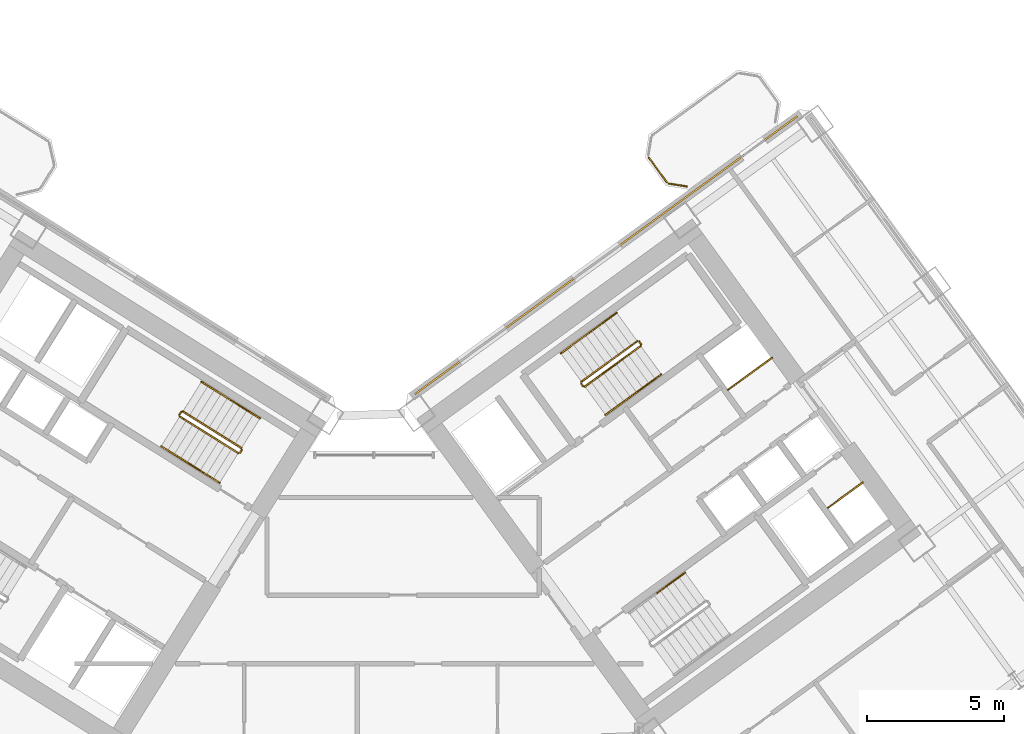
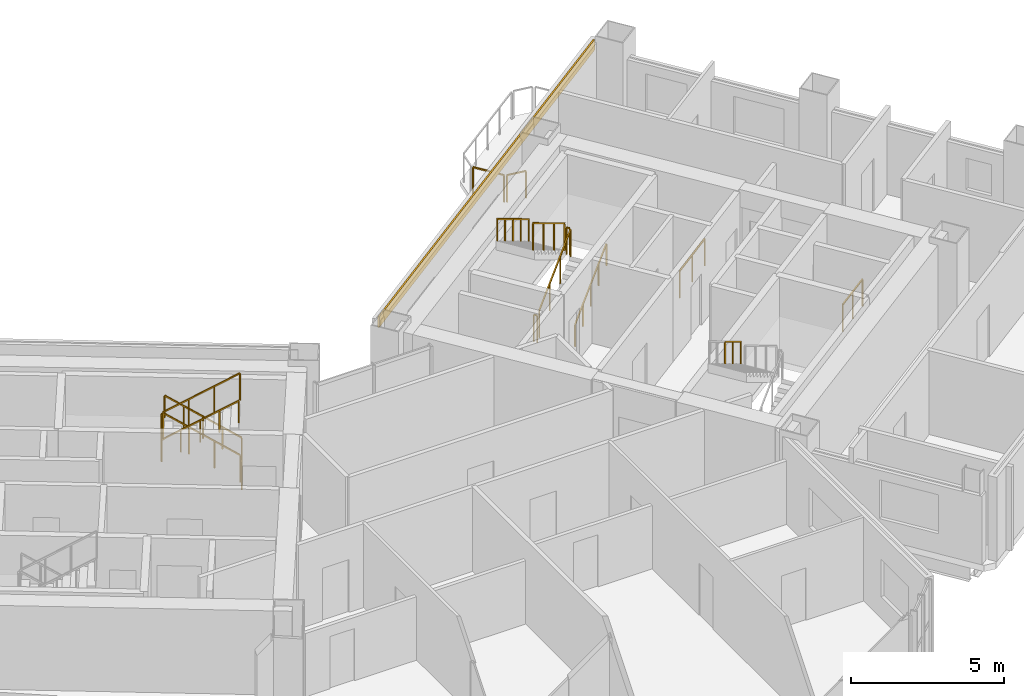
# One storey, part 27 of 28: 21 railings, 1 covering.
"""IFC4 building model written with IfcOpenShell, lengths in metres."""

from ifc_helpers import new_model, si_unit, direction, frame, origin, origin_2d, place, context, subcontext, project, spatial, rectangle, extrude, source, transform, mapped, material, layer, layer_set, type_object, element, save


model = new_model("IFC4")

# Units and contexts
model_context = context("Model", 3, precision=1e-05, world=origin(), true_north=direction((0.0, 1.0)))
body_context = subcontext(model_context, "Body", "Model", "MODEL_VIEW")
ifc_project = project(units=[si_unit("LENGTHUNIT", "METRE"), si_unit("AREAUNIT", "SQUARE_METRE"), si_unit("VOLUMEUNIT", "CUBIC_METRE"), si_unit("PLANEANGLEUNIT", "RADIAN"), si_unit("MASSUNIT", "GRAM", prefix="KILO")], contexts=[model_context])

# Site, building, storey
site_placement = place(None, origin())
site = spatial("IfcSite", under=ifc_project, at=site_placement, CompositionType="ELEMENT")
building_placement = place(site_placement, origin())
building = spatial("IfcBuilding", under=site, at=building_placement, Name="Tlacorven Tower", CompositionType="ELEMENT")
storey_placement = place(building_placement, frame((0.0, 0.0, 56.39990234375)))
storey = spatial("IfcBuildingStorey", under=building, at=storey_placement, Name="L14", CompositionType="ELEMENT", Elevation=56.39990234375)

# Railings
ifc_material_1 = material(Name="Aluminium and painted steel balustrade", Category="steel")
railing_type_1 = type_object("IfcRailingType", Name="RL-GRD-1100", PredefinedType="GUARDRAIL", material=ifc_material_1)
shared_shape_1 = source(origin(), body_context, "Body", "SweptSolid", [
    extrude(rectangle(XDim=0.048095703125, YDim=0.048095703125, at=origin_2d()), frame((0.0, 0.0, 1.076171875), z_axis=(0.808947177504, 0.587881334972, 0.0), x_axis=(-0.587881334972, 0.808947177504, 0.0)), (0.0, 0.0, 1.0), 2.0),
    extrude(rectangle(XDim=0.0419921875, YDim=0.0419921875, at=origin_2d()), origin(), (0.0, 0.0, 1.0), 1.052001953125),
    extrude(rectangle(XDim=0.0419921875, YDim=0.0419921875, at=origin_2d()), frame((0.80908203125, 0.587890625, 0.0)), (0.0, 0.0, 1.0), 1.052001953125),
    extrude(rectangle(XDim=0.0419921875, YDim=0.0419921875, at=origin_2d()), frame((1.617919921875, 1.17578125, 0.0)), (0.0, 0.0, 1.0), 1.052001953125),
])
railing_1_placement = place(storey_placement, frame((55.506103515625, 25.438232421875, 0.0)))
element("IfcRailing", 1, at=railing_1_placement, inside=storey, type_object=railing_type_1, Name="L14 Electrical Riser E Shaft Guard 1", PredefinedType="GUARDRAIL", context=body_context, shape_type="MappedRepresentation", body=[
    mapped(shared_shape_1, transform((0.0, 0.0, 0.0), scale=1.0)),
])
shared_shape_2 = source(origin(), body_context, "Body", "SweptSolid", [
    extrude(rectangle(XDim=0.048095703125, YDim=0.048095703125, at=origin_2d()), frame((0.0, 0.0, 1.076171875), z_axis=(0.809029975545, 0.58776738483, 0.0), x_axis=(-0.58776738483, 0.809029975545, 0.0)), (0.0, 0.0, 1.0), 1.580078125),
    extrude(rectangle(XDim=0.0419921875, YDim=0.0419921875, at=origin_2d()), origin(), (0.0, 0.0, 1.0), 1.052001953125),
    extrude(rectangle(XDim=0.0419921875, YDim=0.0419921875, at=origin_2d()), frame((0.63916015625, 0.46435546875, 0.0)), (0.0, 0.0, 1.0), 1.052001953125),
    extrude(rectangle(XDim=0.0419921875, YDim=0.0419921875, at=origin_2d()), frame((1.2783203125, 0.9287109375, 0.0)), (0.0, 0.0, 1.0), 1.052001953125),
])
railing_2_placement = place(storey_placement, frame((59.160888671875, 21.122314453125, 0.0)))
element("IfcRailing", 2, at=railing_2_placement, inside=storey, type_object=railing_type_1, Name="L14 Smoke Riser E Shaft Guard 1", PredefinedType="GUARDRAIL", context=body_context, shape_type="MappedRepresentation", body=[
    mapped(shared_shape_2, transform((0.0, 0.0, 0.0), scale=1.0)),
])
railing_type_2 = type_object("IfcRailingType", Name="RL-BAL-1100", PredefinedType="BALUSTRADE", material=ifc_material_1)
shared_shape_3 = source(origin(), body_context, "Body", "SweptSolid", [
    extrude(rectangle(XDim=0.048095703125, YDim=0.048095703125, at=origin_2d()), frame((0.0, 0.0, 1.076171875), z_axis=(-0.987718317463, 0.156245081039, 0.0), x_axis=(-0.156245081039, -0.987718317463, 0.0)), (0.0, 0.0, 1.0), 0.66552734375),
    extrude(rectangle(XDim=0.0419921875, YDim=0.0419921875, at=origin_2d()), origin(), (0.0, 0.0, 1.0), 1.052001953125),
    extrude(rectangle(XDim=0.0419921875, YDim=0.0419921875, at=origin_2d()), frame((-0.657470703125, 0.10400390625, 0.0)), (0.0, 0.0, 1.0), 1.052001953125),
])
railing_3_placement = place(storey_placement, frame((54.00341796875, 32.8759765625, 0.0)))
element("IfcRailing", 3, at=railing_3_placement, inside=storey, type_object=railing_type_2, Name="BAL-L14-E-IN Guard Railing 1", PredefinedType="BALUSTRADE", context=body_context, shape_type="MappedRepresentation", body=[
    mapped(shared_shape_3, transform((0.0, 0.0, 0.0), scale=1.0)),
])
shared_shape_4 = source(origin(), body_context, "Body", "SweptSolid", [
    extrude(rectangle(XDim=0.048095703125, YDim=0.048095703125, at=origin_2d()), frame((0.0, 0.0, 1.076171875), z_axis=(-0.587740817519, 0.809049276263, 0.0), x_axis=(-0.809049276263, -0.587740817519, 0.0)), (0.0, 0.0, 1.0), 1.112060546875),
    extrude(rectangle(XDim=0.0419921875, YDim=0.0419921875, at=origin_2d()), origin(), (0.0, 0.0, 1.0), 1.052001953125),
    extrude(rectangle(XDim=0.0419921875, YDim=0.0419921875, at=origin_2d()), frame((-0.653564453125, 0.899658203125, 0.0)), (0.0, 0.0, 1.0), 1.052001953125),
])
railing_4_placement = place(storey_placement, frame((53.26708984375, 33.0283203125, 0.0)))
element("IfcRailing", 4, at=railing_4_placement, inside=storey, type_object=railing_type_2, Name="BAL-L14-E-IN Guard Railing 2", PredefinedType="BALUSTRADE", context=body_context, shape_type="MappedRepresentation", body=[
    mapped(shared_shape_4, transform((0.0, 0.0, 0.0), scale=1.0)),
])

# Covering
ifc_material_2 = material(Name="Precast concrete C45/55", Category="concrete")
ifc_layer = layer(ifc_material_2, 0.06005859375)
ifc_layer_set = layer_set([ifc_layer], Name="Precast concrete C45/55")
covering_type = type_object("IfcCoveringType", Name="CV-CLD-TERC", PredefinedType="CLADDING", material=ifc_layer_set)
shared_shape_5 = source(origin(), body_context, "Body", "SweptSolid", [
    extrude(rectangle(XDim=17.287353515625, YDim=0.06005859375, at=origin_2d()), origin(), (0.0, 0.0, 1.0), 0.419921875),
])
covering_placement = place(storey_placement, frame((51.05224609375, 30.360595703125, 2.93017578125), z_axis=(0.0, 0.0, 1.0), x_axis=(0.809017097486, 0.587785110372, 0.0)))
element("IfcCovering", 5, at=covering_placement, inside=storey, type_object=covering_type, Name="L14 Masonry-Frame Spandrel Cladding 4", PredefinedType="CLADDING", context=body_context, shape_type="MappedRepresentation", body=[
    mapped(shared_shape_5, transform((0.0, 0.0, 0.0), scale=1.0)),
])

# Railings
shared_shape_6 = source(origin(), body_context, "Body", "SweptSolid", [
    extrude(rectangle(XDim=0.048095703125, YDim=0.048095703125, at=origin_2d()), frame((0.0, 0.0, 1.076171875), z_axis=(-0.530546985787, -0.847655529016, 0.0), x_axis=(0.847655529016, -0.530546985787, 0.0)), (0.0, 0.0, 1.0), 0.1201171875),
    extrude(rectangle(XDim=0.0419921875, YDim=0.0419921875, at=origin_2d()), origin(), (0.0, 0.0, 1.0), 1.052001953125),
    extrude(rectangle(XDim=0.0419921875, YDim=0.0419921875, at=origin_2d()), frame((-0.063720703125, -0.101806640625, 0.0)), (0.0, 0.0, 1.0), 1.052001953125),
])
railing_5_placement = place(storey_placement, frame((37.728271484375, 23.24072265625, 0.0)))
element("IfcRailing", 6, at=railing_5_placement, inside=storey, type_object=railing_type_1, Name="L14 ST-W2 stair guard 4", PredefinedType="GUARDRAIL", context=body_context, shape_type="MappedRepresentation", body=[
    mapped(shared_shape_6, transform((0.0, 0.0, 0.0), scale=1.0)),
])
railing_type_3 = type_object("IfcRailingType", Name="RL-HND-0900", PredefinedType="HANDRAIL", material=ifc_material_1)
shared_shape_7 = source(origin(), body_context, "Body", "SweptSolid", [
    extrude(rectangle(XDim=0.048095703125, YDim=0.048095703125, at=origin_2d()), frame((0.0, 0.0, 0.8759765625), z_axis=(-0.713359751793, 0.4457479829, 0.540764828981), x_axis=(-0.529911857636, -0.848052724267, 0.0)), (0.0, 0.0, 1.0), 1.498046875),
    extrude(rectangle(XDim=0.0419921875, YDim=0.0419921875, at=origin_2d()), origin(), (0.0, 0.0, 1.0), 0.851806640625),
    extrude(rectangle(XDim=0.0419921875, YDim=0.0419921875, at=origin_2d()), frame((-0.5341796875, 0.333984375, 0.405029296875)), (0.0, 0.0, 1.0), 0.851806640625),
    extrude(rectangle(XDim=0.0419921875, YDim=0.0419921875, at=origin_2d()), frame((-1.068603515625, 0.667724609375, 0.81005859375)), (0.0, 0.0, 1.0), 0.851806640625),
])
railing_6_placement = place(storey_placement, frame((37.322021484375, 25.062744140625, 0.989990234375)))
element("IfcRailing", 7, at=railing_6_placement, inside=storey, type_object=railing_type_3, Name="L14 ST-W2 stair handrail 2", PredefinedType="HANDRAIL", context=body_context, shape_type="MappedRepresentation", body=[
    mapped(shared_shape_7, transform((0.0, 0.0, 0.0), scale=1.0)),
])
shared_shape_8 = source(origin(), body_context, "Body", "SweptSolid", [
    extrude(rectangle(XDim=0.048095703125, YDim=0.048095703125, at=origin_2d()), frame((0.0, 0.0, 0.8759765625), z_axis=(0.713359751793, -0.4457479829, 0.540764828981), x_axis=(0.529911857636, 0.848052724267, 0.0)), (0.0, 0.0, 1.0), 1.498046875),
    extrude(rectangle(XDim=0.0419921875, YDim=0.0419921875, at=origin_2d()), origin(), (0.0, 0.0, 1.0), 0.851806640625),
    extrude(rectangle(XDim=0.0419921875, YDim=0.0419921875, at=origin_2d()), frame((0.5341796875, -0.333984375, 0.405029296875)), (0.0, 0.0, 1.0), 0.851806640625),
    extrude(rectangle(XDim=0.0419921875, YDim=0.0419921875, at=origin_2d()), frame((1.068603515625, -0.667724609375, 0.81005859375)), (0.0, 0.0, 1.0), 0.851806640625),
])
for number, where, name in (
    (8, (34.7802734375, 23.372802734375, 1.97998046875), "L14 ST-W2 stair handrail 3"),
    (9, (35.848876953125, 22.705078125, 2.7900390625), "L14 ST-W2 stair handrail 4"),
):
    element("IfcRailing", number, at=place(storey_placement, frame(where)), inside=storey, type_object=railing_type_3, Name=name, PredefinedType="HANDRAIL", context=body_context, shape_type="MappedRepresentation", body=[
        mapped(shared_shape_8, transform((0.0, 0.0, 0.0), scale=1.0)),
    ])
shared_shape_9 = source(origin(), body_context, "Body", "SweptSolid", [
    extrude(rectangle(XDim=0.048095703125, YDim=0.048095703125, at=origin_2d()), frame((0.0, 0.0, 1.076171875), z_axis=(-0.713351164325, 0.445793541512, 0.540738601085), x_axis=(-0.529955395941, -0.84802551749, 0.0)), (0.0, 0.0, 1.0), 2.99560546875),
    extrude(rectangle(XDim=0.0419921875, YDim=0.0419921875, at=origin_2d()), origin(), (0.0, 0.0, 1.0), 1.052001953125),
    extrude(rectangle(XDim=0.0419921875, YDim=0.0419921875, at=origin_2d()), frame((-0.71240234375, 0.445068359375, 0.5400390625)), (0.0, 0.0, 1.0), 1.052001953125),
    extrude(rectangle(XDim=0.0419921875, YDim=0.0419921875, at=origin_2d()), frame((-1.424560546875, 0.890380859375, 1.079833984375)), (0.0, 0.0, 1.0), 1.052001953125),
    extrude(rectangle(XDim=0.0419921875, YDim=0.0419921875, at=origin_2d()), frame((-2.136962890625, 1.33544921875, 1.619873046875)), (0.0, 0.0, 1.0), 1.052001953125),
])
railing_7_placement = place(storey_placement, frame((37.712158203125, 23.3095703125, 0.18017578125)))
element("IfcRailing", 10, at=railing_7_placement, inside=storey, type_object=railing_type_1, Name="L14 ST-W2 stair guard 1", PredefinedType="GUARDRAIL", context=body_context, shape_type="MappedRepresentation", body=[
    mapped(shared_shape_9, transform((0.0, 0.0, 0.0), scale=1.0)),
])
shared_shape_10 = source(origin(), body_context, "Body", "SweptSolid", [
    extrude(rectangle(XDim=0.048095703125, YDim=0.048095703125, at=origin_2d()), frame((0.0, 0.0, 0.8759765625), z_axis=(-0.713422621445, 0.445787267455, 0.540649494022), x_axis=(-0.529911857636, -0.848052724267, 0.0)), (0.0, 0.0, 1.0), 1.497802734375),
    extrude(rectangle(XDim=0.0419921875, YDim=0.0419921875, at=origin_2d()), origin(), (0.0, 0.0, 1.0), 0.851806640625),
    extrude(rectangle(XDim=0.0419921875, YDim=0.0419921875, at=origin_2d()), frame((-0.5341796875, 0.333984375, 0.40478515625)), (0.0, 0.0, 1.0), 0.851806640625),
    extrude(rectangle(XDim=0.0419921875, YDim=0.0419921875, at=origin_2d()), frame((-1.068603515625, 0.667724609375, 0.809814453125)), (0.0, 0.0, 1.0), 0.851806640625),
])
railing_8_placement = place(storey_placement, frame((38.390625, 24.39501953125, 0.18017578125)))
element("IfcRailing", 11, at=railing_8_placement, inside=storey, type_object=railing_type_3, Name="L14 ST-W2 stair handrail 1", PredefinedType="HANDRAIL", context=body_context, shape_type="MappedRepresentation", body=[
    mapped(shared_shape_10, transform((0.0, 0.0, 0.0), scale=1.0)),
])
shared_shape_11 = source(origin(), body_context, "Body", "SweptSolid", [
    extrude(rectangle(XDim=0.048095703125, YDim=0.048095703125, at=origin_2d()), frame((0.0, 0.0, 1.076171875), z_axis=(-0.531462422766, -0.847081869236, 0.0), x_axis=(0.847081869236, -0.531462422766, 0.0)), (0.0, 0.0, 1.0), 0.119873046875),
    extrude(rectangle(XDim=0.0419921875, YDim=0.0419921875, at=origin_2d()), origin(), (0.0, 0.0, 1.0), 1.052001953125),
    extrude(rectangle(XDim=0.0419921875, YDim=0.0419921875, at=origin_2d()), frame((-0.063720703125, -0.1015625, 0.0)), (0.0, 0.0, 1.0), 1.052001953125),
])
railing_9_placement = place(storey_placement, frame((35.50634765625, 24.62890625, 1.800048828125)))
element("IfcRailing", 12, at=railing_9_placement, inside=storey, type_object=railing_type_1, Name="L14 ST-W2 stair guard 2", PredefinedType="GUARDRAIL", context=body_context, shape_type="MappedRepresentation", body=[
    mapped(shared_shape_11, transform((0.0, 0.0, 0.0), scale=1.0)),
])
shared_shape_12 = source(origin(), body_context, "Body", "SweptSolid", [
    extrude(rectangle(XDim=0.048095703125, YDim=0.048095703125, at=origin_2d()), frame((0.0, 0.0, 1.076171875), z_axis=(0.713385662783, -0.445682681033, 0.540784470897), x_axis=(0.52984217967, 0.848096259066, 0.0)), (0.0, 0.0, 1.0), 2.995849609375),
    extrude(rectangle(XDim=0.0419921875, YDim=0.0419921875, at=origin_2d()), origin(), (0.0, 0.0, 1.0), 1.052001953125),
    extrude(rectangle(XDim=0.0419921875, YDim=0.0419921875, at=origin_2d()), frame((0.71240234375, -0.445068359375, 0.5400390625)), (0.0, 0.0, 1.0), 1.052001953125),
    extrude(rectangle(XDim=0.0419921875, YDim=0.0419921875, at=origin_2d()), frame((1.4248046875, -0.89013671875, 1.080078125)), (0.0, 0.0, 1.0), 1.052001953125),
    extrude(rectangle(XDim=0.0419921875, YDim=0.0419921875, at=origin_2d()), frame((2.13720703125, -1.335205078125, 1.6201171875)), (0.0, 0.0, 1.0), 1.052001953125),
])
railing_10_placement = place(storey_placement, frame((35.45849609375, 24.458251953125, 1.97998046875)))
element("IfcRailing", 13, at=railing_10_placement, inside=storey, type_object=railing_type_1, Name="L14 ST-W2 stair guard 3", PredefinedType="GUARDRAIL", context=body_context, shape_type="MappedRepresentation", body=[
    mapped(shared_shape_12, transform((0.0, 0.0, 0.0), scale=1.0)),
])
shared_shape_13 = source(origin(), body_context, "Body", "SweptSolid", [
    extrude(rectangle(XDim=0.048095703125, YDim=0.048095703125, at=origin_2d()), frame((0.0, 0.0, 1.076171875), z_axis=(-0.587201422542, 0.809440849824, 0.0), x_axis=(-0.809440849824, -0.587201422542, 0.0)), (0.0, 0.0, 1.0), 0.11962890625),
    extrude(rectangle(XDim=0.0419921875, YDim=0.0419921875, at=origin_2d()), origin(), (0.0, 0.0, 1.0), 1.052001953125),
    extrude(rectangle(XDim=0.0419921875, YDim=0.0419921875, at=origin_2d()), frame((-0.0703125, 0.096923828125, 0.0)), (0.0, 0.0, 1.0), 1.052001953125),
])
for number, where, name in (
    (14, (52.326904296875, 27.10888671875, 1.800048828125), "L14 ST-E1 stair guard 2"),
    (15, (50.207275390625, 25.56884765625, 0.0), "L14 ST-E1 stair guard 4"),
):
    element("IfcRailing", number, at=place(storey_placement, frame(where)), inside=storey, type_object=railing_type_1, Name=name, PredefinedType="GUARDRAIL", context=body_context, shape_type="MappedRepresentation", body=[
        mapped(shared_shape_13, transform((0.0, 0.0, 0.0), scale=1.0)),
    ])
shared_shape_14 = source(origin(), body_context, "Body", "SweptSolid", [
    extrude(rectangle(XDim=0.048095703125, YDim=0.048095703125, at=origin_2d()), frame((0.0, 0.0, 1.076171875), z_axis=(-0.680488636597, -0.494434078831, 0.540805100894), x_axis=(0.5878087079, -0.808999952359, 0.0)), (0.0, 0.0, 1.0), 2.995849609375),
    extrude(rectangle(XDim=0.0419921875, YDim=0.0419921875, at=origin_2d()), origin(), (0.0, 0.0, 1.0), 1.052001953125),
    extrude(rectangle(XDim=0.0419921875, YDim=0.0419921875, at=origin_2d()), frame((-0.679443359375, -0.49365234375, 0.5400390625)), (0.0, 0.0, 1.0), 1.052001953125),
    extrude(rectangle(XDim=0.0419921875, YDim=0.0419921875, at=origin_2d()), frame((-1.359130859375, -0.987548828125, 1.080078125)), (0.0, 0.0, 1.0), 1.052001953125),
    extrude(rectangle(XDim=0.0419921875, YDim=0.0419921875, at=origin_2d()), frame((-2.03857421875, -1.481201171875, 1.6201171875)), (0.0, 0.0, 1.0), 1.052001953125),
])
railing_11_placement = place(storey_placement, frame((52.1865234375, 27.217041015625, 1.97998046875)))
element("IfcRailing", 16, at=railing_11_placement, inside=storey, type_object=railing_type_1, Name="L14 ST-E1 stair guard 3", PredefinedType="GUARDRAIL", context=body_context, shape_type="MappedRepresentation", body=[
    mapped(shared_shape_14, transform((0.0, 0.0, 0.0), scale=1.0)),
])
shared_shape_15 = source(origin(), body_context, "Body", "SweptSolid", [
    extrude(rectangle(XDim=0.048095703125, YDim=0.048095703125, at=origin_2d()), frame((0.0, 0.0, 0.8759765625), z_axis=(0.680548719995, 0.49444080854, 0.540723336433), x_axis=(-0.587779977844, 0.80902082646, 0.0)), (0.0, 0.0, 1.0), 1.498046875),
    extrude(rectangle(XDim=0.0419921875, YDim=0.0419921875, at=origin_2d()), origin(), (0.0, 0.0, 1.0), 0.851806640625),
    extrude(rectangle(XDim=0.0419921875, YDim=0.0419921875, at=origin_2d()), frame((0.509765625, 0.370361328125, 0.405029296875)), (0.0, 0.0, 1.0), 0.851806640625),
    extrude(rectangle(XDim=0.0419921875, YDim=0.0419921875, at=origin_2d()), frame((1.01953125, 0.74072265625, 0.81005859375)), (0.0, 0.0, 1.0), 0.851806640625),
])
railing_12_placement = place(storey_placement, frame((52.048828125, 25.2626953125, 0.989990234375)))
element("IfcRailing", 17, at=railing_12_placement, inside=storey, type_object=railing_type_3, Name="L14 ST-E1 stair handrail 2", PredefinedType="HANDRAIL", context=body_context, shape_type="MappedRepresentation", body=[
    mapped(shared_shape_15, transform((0.0, 0.0, 0.0), scale=1.0)),
])
shared_shape_16 = source(origin(), body_context, "Body", "SweptSolid", [
    extrude(rectangle(XDim=0.048095703125, YDim=0.048095703125, at=origin_2d()), frame((0.0, 0.0, 0.8759765625), z_axis=(-0.680603554404, -0.494317667746, 0.540766904577), x_axis=(0.587653156371, -0.809112951205, 0.0)), (0.0, 0.0, 1.0), 1.498046875),
    extrude(rectangle(XDim=0.0419921875, YDim=0.0419921875, at=origin_2d()), origin(), (0.0, 0.0, 1.0), 0.851806640625),
    extrude(rectangle(XDim=0.0419921875, YDim=0.0419921875, at=origin_2d()), frame((-0.509765625, -0.3701171875, 0.405029296875)), (0.0, 0.0, 1.0), 0.851806640625),
    extrude(rectangle(XDim=0.0419921875, YDim=0.0419921875, at=origin_2d()), frame((-1.01953125, -0.740478515625, 0.81005859375)), (0.0, 0.0, 1.0), 0.851806640625),
])
railing_13_placement = place(storey_placement, frame((51.434326171875, 28.25244140625, 1.97998046875)))
element("IfcRailing", 18, at=railing_13_placement, inside=storey, type_object=railing_type_3, Name="L14 ST-E1 stair handrail 3", PredefinedType="HANDRAIL", context=body_context, shape_type="MappedRepresentation", body=[
    mapped(shared_shape_16, transform((0.0, 0.0, 0.0), scale=1.0)),
])
shared_shape_17 = source(origin(), body_context, "Body", "SweptSolid", [
    extrude(rectangle(XDim=0.048095703125, YDim=0.048095703125, at=origin_2d()), frame((0.0, 0.0, 0.8759765625), z_axis=(-0.680461216233, -0.494495647917, 0.540783309093), x_axis=(0.587872112667, -0.808953879494, 0.0)), (0.0, 0.0, 1.0), 1.498046875),
    extrude(rectangle(XDim=0.0419921875, YDim=0.0419921875, at=origin_2d()), origin(), (0.0, 0.0, 1.0), 0.851806640625),
    extrude(rectangle(XDim=0.0419921875, YDim=0.0419921875, at=origin_2d()), frame((-0.509765625, -0.370361328125, 0.405029296875)), (0.0, 0.0, 1.0), 0.851806640625),
    extrude(rectangle(XDim=0.0419921875, YDim=0.0419921875, at=origin_2d()), frame((-1.019287109375, -0.74072265625, 0.81005859375)), (0.0, 0.0, 1.0), 0.851806640625),
])
railing_14_placement = place(storey_placement, frame((50.414794921875, 27.511962890625, 2.7900390625)))
element("IfcRailing", 19, at=railing_14_placement, inside=storey, type_object=railing_type_3, Name="L14 ST-E1 stair handrail 4", PredefinedType="HANDRAIL", context=body_context, shape_type="MappedRepresentation", body=[
    mapped(shared_shape_17, transform((0.0, 0.0, 0.0), scale=1.0)),
])
shared_shape_18 = source(origin(), body_context, "Body", "SweptSolid", [
    extrude(rectangle(XDim=0.048095703125, YDim=0.048095703125, at=origin_2d()), frame((0.0, 0.0, 1.076171875), z_axis=(0.680518627673, 0.494455869951, 0.540747436481), x_axis=(-0.5878087079, 0.808999952359, 0.0)), (0.0, 0.0, 1.0), 2.99560546875),
    extrude(rectangle(XDim=0.0419921875, YDim=0.0419921875, at=origin_2d()), origin(), (0.0, 0.0, 1.0), 1.052001953125),
    extrude(rectangle(XDim=0.0419921875, YDim=0.0419921875, at=origin_2d()), frame((0.679443359375, 0.49365234375, 0.5400390625)), (0.0, 0.0, 1.0), 1.052001953125),
    extrude(rectangle(XDim=0.0419921875, YDim=0.0419921875, at=origin_2d()), frame((1.359130859375, 0.987548828125, 1.079833984375)), (0.0, 0.0, 1.0), 1.052001953125),
    extrude(rectangle(XDim=0.0419921875, YDim=0.0419921875, at=origin_2d()), frame((2.03857421875, 1.481201171875, 1.619873046875)), (0.0, 0.0, 1.0), 1.052001953125),
])
railing_15_placement = place(storey_placement, frame((50.27734375, 25.557861328125, 0.18017578125)))
element("IfcRailing", 20, at=railing_15_placement, inside=storey, type_object=railing_type_1, Name="L14 ST-E1 stair guard 1", PredefinedType="GUARDRAIL", context=body_context, shape_type="MappedRepresentation", body=[
    mapped(shared_shape_18, transform((0.0, 0.0, 0.0), scale=1.0)),
])
shared_shape_19 = source(origin(), body_context, "Body", "SweptSolid", [
    extrude(rectangle(XDim=0.048095703125, YDim=0.048095703125, at=origin_2d()), frame((0.0, 0.0, 0.8759765625), z_axis=(0.680576044605, 0.494416082224, 0.54071155448), x_axis=(-0.587745292299, 0.809046025502, 0.0)), (0.0, 0.0, 1.0), 1.497802734375),
    extrude(rectangle(XDim=0.0419921875, YDim=0.0419921875, at=origin_2d()), origin(), (0.0, 0.0, 1.0), 0.851806640625),
    extrude(rectangle(XDim=0.0419921875, YDim=0.0419921875, at=origin_2d()), frame((0.509765625, 0.3701171875, 0.40478515625)), (0.0, 0.0, 1.0), 0.851806640625),
    extrude(rectangle(XDim=0.0419921875, YDim=0.0419921875, at=origin_2d()), frame((1.019287109375, 0.740478515625, 0.809814453125)), (0.0, 0.0, 1.0), 0.851806640625),
])
railing_16_placement = place(storey_placement, frame((51.029541015625, 24.522216796875, 0.18017578125)))
element("IfcRailing", 21, at=railing_16_placement, inside=storey, type_object=railing_type_3, Name="L14 ST-E1 stair handrail 1", PredefinedType="HANDRAIL", context=body_context, shape_type="MappedRepresentation", body=[
    mapped(shared_shape_19, transform((0.0, 0.0, 0.0), scale=1.0)),
])
shared_shape_20 = source(origin(), body_context, "Body", "SweptSolid", [
    extrude(rectangle(XDim=0.048095703125, YDim=0.048095703125, at=origin_2d()), frame((0.0, 0.0, 0.8759765625), z_axis=(-0.680516055757, -0.494372502302, 0.540826891737), x_axis=(0.587745292299, -0.809046025502, 0.0)), (0.0, 0.0, 1.0), 1.497802734375),
    extrude(rectangle(XDim=0.0419921875, YDim=0.0419921875, at=origin_2d()), origin(), (0.0, 0.0, 1.0), 0.851806640625),
    extrude(rectangle(XDim=0.0419921875, YDim=0.0419921875, at=origin_2d()), frame((-0.509765625, -0.3701171875, 0.405029296875)), (0.0, 0.0, 1.0), 0.851806640625),
    extrude(rectangle(XDim=0.0419921875, YDim=0.0419921875, at=origin_2d()), frame((-1.019287109375, -0.740478515625, 0.81005859375)), (0.0, 0.0, 1.0), 0.851806640625),
])
railing_17_placement = place(storey_placement, frame((53.938232421875, 18.749267578125, 1.97998046875)))
element("IfcRailing", 22, at=railing_17_placement, inside=storey, type_object=railing_type_3, Name="L14 ST-E2 stair handrail 3", PredefinedType="HANDRAIL", context=body_context, shape_type="MappedRepresentation", body=[
    mapped(shared_shape_20, transform((0.0, 0.0, 0.0), scale=1.0)),
])

save(model, "model.ifc")
